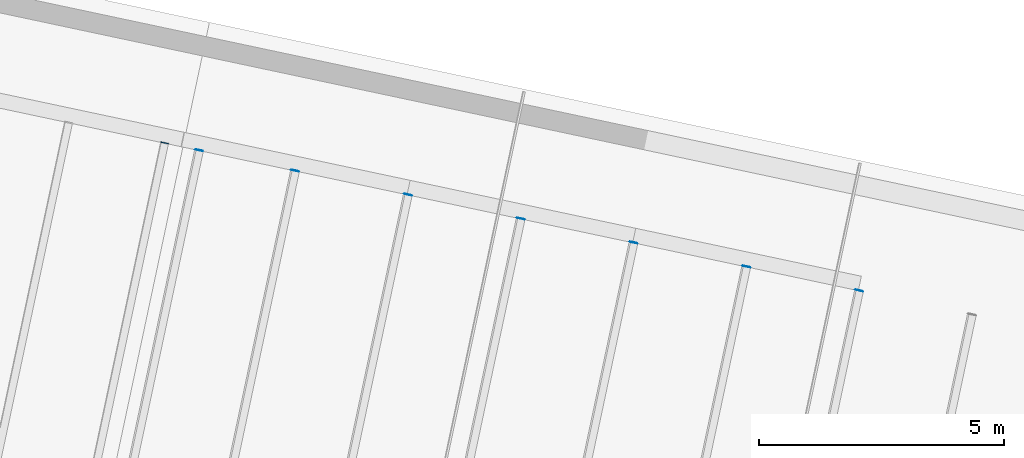
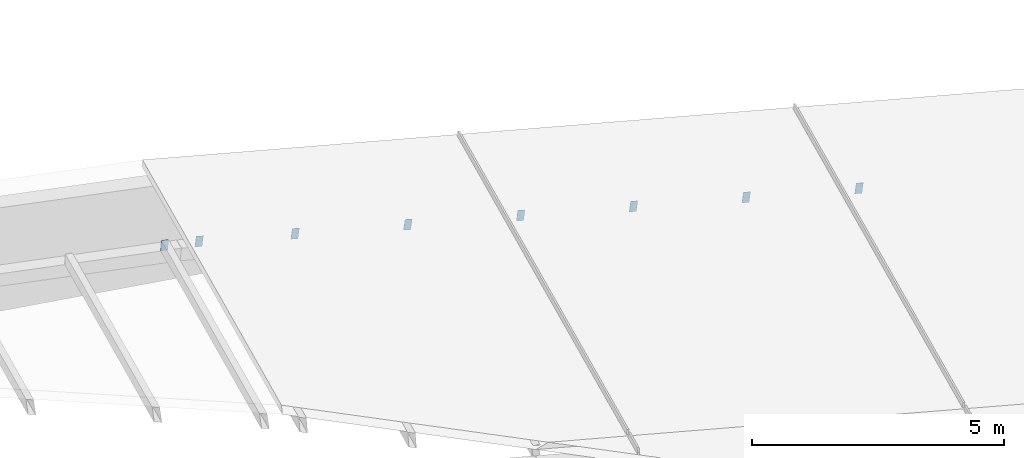
# One storey, part 170 of 196: 8 discrete accessories.
"""IFC4 building model written with IfcOpenShell, lengths in metres."""

from ifc_helpers import new_model, si_unit, direction, frame, origin, origin_2d, place, context, subcontext, project, spatial, rectangle, extrude, material, layer, layer_set, type_object, element, save


model = new_model("IFC4")

# Units and contexts
model_context = context("Model", 3, precision=1e-05, world=origin(), true_north=direction((0.0, 1.0)))
body_context = subcontext(model_context, "Body", "Model", "MODEL_VIEW")
ifc_project = project(units=[si_unit("LENGTHUNIT", "METRE"), si_unit("AREAUNIT", "SQUARE_METRE"), si_unit("VOLUMEUNIT", "CUBIC_METRE"), si_unit("PLANEANGLEUNIT", "RADIAN"), si_unit("MASSUNIT", "GRAM", prefix="KILO")], contexts=[model_context])

# Site, building, storey
site_placement = place(None, origin())
site = spatial("IfcSite", under=ifc_project, at=site_placement, CompositionType="ELEMENT")
building_placement = place(site_placement, origin())
building = spatial("IfcBuilding", under=site, at=building_placement, Name="Okhra Congress Centre", CompositionType="ELEMENT")
storey_placement = place(building_placement, frame((0.0, 0.0, 12.0)))
storey = spatial("IfcBuildingStorey", under=building, at=storey_placement, Name="L02", CompositionType="ELEMENT", Elevation=12.0)

# Discrete accessories
ifc_material = material(Name="Steel S355J2", Category="steel")
ifc_layer = layer(ifc_material, 0.011962890625)
ifc_layer_set = layer_set([ifc_layer], Name="Hollow section end cap 12 mm S355")
discrete_accessory_type = type_object("IfcDiscreteAccessoryType", Name="Hollow section end cap 12 mm S355", PredefinedType="BRACKET", material=ifc_layer_set)
for number, where, z_axis, x_axis, name in (
    (1, (245.204833984375, 129.35107421875, 2.251220703125), (0.203954254112, 0.978980419738, 0.0), (-0.977638761096, 0.203674741895, 0.052335956243), "Hollow section end cap"),
    (2, (245.908203125, 129.20166015625, 2.188232421875), (0.203954254112, 0.978980419738, 0.0), (-0.971683248143, 0.20243401003, 0.121869343405), "Hollow section end cap"),
    (3, (247.864501953125, 128.78564453125, 1.94287109375), (0.203954254112, 0.978980419738, 0.0), (-0.971683248143, 0.20243401003, 0.121869343405), "Hollow section end cap"),
    (4, (250.1630859375, 128.297119140625, 1.654296875), (0.223376156329, 0.974732318528, 0.0), (-0.967466811636, 0.221711144333, 0.121869343405), "Hollow section end cap"),
    (5, (252.4619140625, 127.80859375, 1.36572265625), (0.203954254112, 0.978980419738, 0.0), (-0.971683248143, 0.20243401003, 0.121869343405), "Hollow section end cap"),
    (6, (254.760498046875, 127.320068359375, 1.0771484375), (0.203954254112, 0.978980419738, 0.0), (-0.971683248143, 0.20243401003, 0.121869343405), "Hollow section end cap"),
    (7, (257.05908203125, 126.831298828125, 0.78857421875), (0.203954254112, 0.978980419738, 0.0), (-0.971683248143, 0.20243401003, 0.121869343405), "Hollow section end cap"),
    (8, (259.357666015625, 126.3427734375, 0.5), (0.223376156329, 0.974732318528, 0.0), (-0.967466811636, 0.221711144333, 0.121869343405), "Hollow section end cap"),
):
    element("IfcDiscreteAccessory", number, at=place(storey_placement, frame(where, z_axis=z_axis, x_axis=x_axis)), inside=storey, type_object=discrete_accessory_type, Name=name, PredefinedType="BRACKET", context=body_context, shape_type="SweptSolid", body=[
        extrude(rectangle(XDim=0.14990234375, YDim=0.25, at=origin_2d()), origin(), (0.0, 0.0, 1.0), 0.011962890625),
    ])

save(model, "model.ifc")
